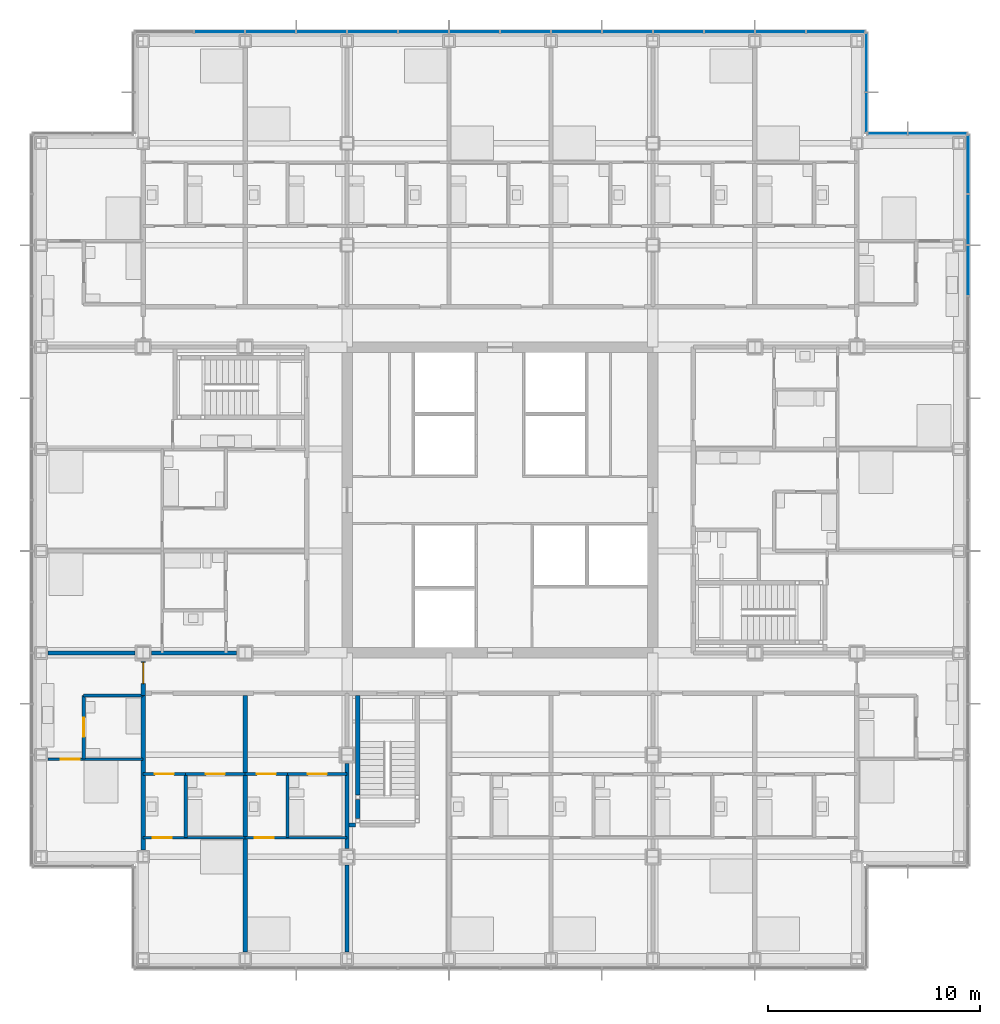
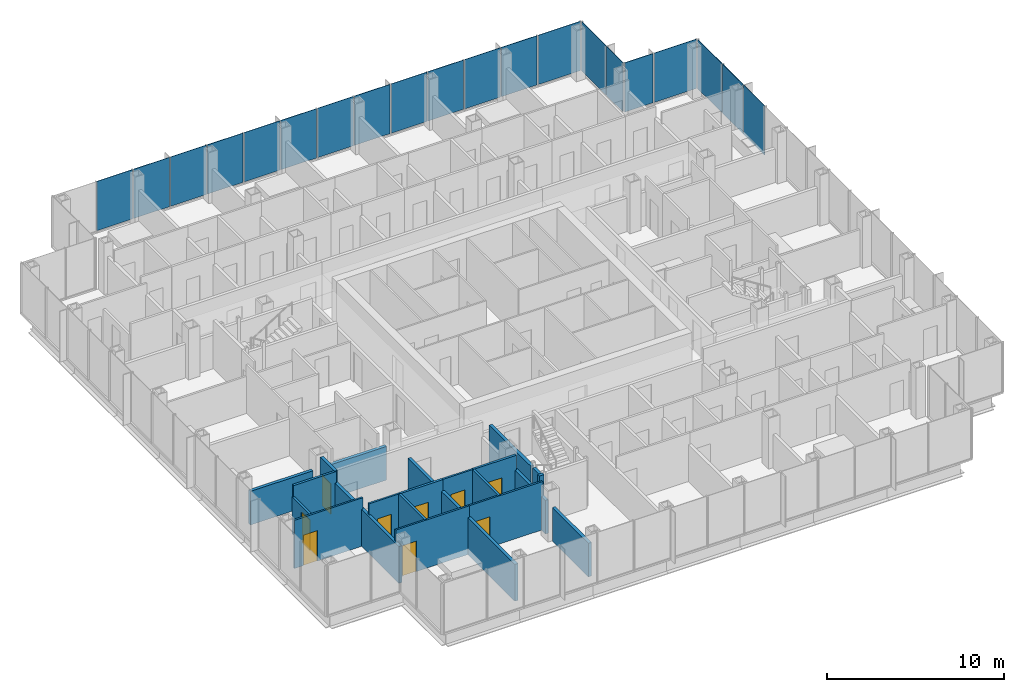
# One storey, part 13 of 22: 21 walls, 20 plates, 9 doors, 9 openings, 4 elements without a shape of their own.
"""IFC4 building model written with IfcOpenShell, lengths in metres."""

import ifcopenshell
import ifcopenshell.guid

model = None  # the IFC model being written
_history = None  # IfcOwnerHistory: only IFC2X3 demands one
_inside = {}  # id of a spatial element -> (the spatial element, [elements in it])
_under = {}  # id of a project, library or spatial element -> (it, [spatial elements below it])
_declared = {}  # id of a project -> (the project, [libraries it declares])
_typed = {}  # id of a type object -> (the type object, [elements of that type])
_made_of = {}  # id of a material, layer set ... -> (it, [elements and type objects made of it])


def new_model(schema):
    """Start an empty IFC model of exactly this schema.

    Asked for "IFC4X3", IfcOpenShell would pick the latest addendum, in which some entities
    have other attributes; the version numbers below select the first issue.
    IFC2X3 requires an IfcOwnerHistory on every rooted entity: one is made here for all.
    """
    global model, _history
    if schema == "IFC4X3":
        model = ifcopenshell.file(schema_version=(4, 3, 0, 0))
    else:
        model = ifcopenshell.file(schema=schema)
    _inside.clear()
    _under.clear()
    _declared.clear()
    _typed.clear()
    _made_of.clear()
    _history = None
    if model.schema == "IFC2X3":
        org = make("IfcOrganization", Name="unknown")
        user = make(
            "IfcPersonAndOrganization",
            ThePerson=make("IfcPerson", FamilyName="unknown"),
            TheOrganization=org,
        )
        app = make(
            "IfcApplication",
            ApplicationDeveloper=org,
            Version="unknown",
            ApplicationFullName="unknown",
            ApplicationIdentifier="unknown",
        )
        _history = make(
            "IfcOwnerHistory",
            OwningUser=user,
            OwningApplication=app,
            ChangeAction="ADDED",
            CreationDate=0,
        )
    return model


def make(cls, **values):
    """One entity of the class cls with the attributes given. An attribute that is None is left unset."""
    return model.create_entity(
        cls, **{name: value for name, value in values.items() if value is not None}
    )


def rooted(cls, **values):
    """An entity with a GlobalId (a new one), such as an element, a storey or a relation."""
    return make(cls, GlobalId=ifcopenshell.guid.new(), OwnerHistory=_history, **values)


def si_unit(unit_type, name, prefix=None):
    """IfcSIUnit, for example si_unit("LENGTHUNIT", "METRE", prefix="MILLI")."""
    return make("IfcSIUnit", UnitType=unit_type, Prefix=prefix, Name=name)


def assignment(units):
    """IfcUnitAssignment: the units of a project."""
    return None if units is None else make("IfcUnitAssignment", Units=units)


def point(xyz):
    """IfcCartesianPoint."""
    return None if xyz is None else make("IfcCartesianPoint", Coordinates=xyz)


def direction(xyz):
    """IfcDirection."""
    return None if xyz is None else make("IfcDirection", DirectionRatios=xyz)


def frame(location, z_axis=None, x_axis=None):
    """IfcAxis2Placement3D, a coordinate frame: its origin and axes. An axis left out is left unset."""
    return make(
        "IfcAxis2Placement3D",
        Location=point(location),
        Axis=direction(z_axis),
        RefDirection=direction(x_axis),
    )


def frame_2d(location, x_axis=None):
    """IfcAxis2Placement2D, a coordinate frame in the plane: its origin and x axis."""
    return make(
        "IfcAxis2Placement2D", Location=point(location), RefDirection=direction(x_axis)
    )


def origin():
    """The frame at (0, 0, 0) with its axes left unset."""
    return frame((0.0, 0.0, 0.0))


def origin_2d():
    """The frame at (0, 0) in the plane with its x axis left unset."""
    return frame_2d((0.0, 0.0))


def place(relative_to, where):
    """IfcLocalPlacement: puts the frame where relative to a parent placement (None: the world)."""
    return make(
        "IfcLocalPlacement", PlacementRelTo=relative_to, RelativePlacement=where
    )


def context(
    kind, dimensions, precision=None, world=None, true_north=None, identifier=None
):
    """IfcGeometricRepresentationContext, for example the 3D "Model" context."""
    return make(
        "IfcGeometricRepresentationContext",
        ContextIdentifier=identifier,
        ContextType=kind,
        CoordinateSpaceDimension=dimensions,
        Precision=precision,
        WorldCoordinateSystem=world,
        TrueNorth=true_north,
    )


def subcontext(parent, identifier, kind, view, scale=None):
    """IfcGeometricRepresentationSubContext, for example "Body" below "Model"."""
    return make(
        "IfcGeometricRepresentationSubContext",
        ContextIdentifier=identifier,
        ContextType=kind,
        ParentContext=parent,
        TargetScale=scale,
        TargetView=view,
    )


def project(units=None, contexts=None):
    """IfcProject with its units and contexts."""
    return rooted(
        "IfcProject",
        Name="project",
        RepresentationContexts=contexts,
        UnitsInContext=assignment(units),
    )


def spatial(cls, under=None, at=None, **own):
    """A site, building, storey or space (cls), placed at a placement, below another one or the project."""
    s = rooted(cls, ObjectPlacement=at, **own)
    if under is not None:
        _under.setdefault(under.id(), (under, []))[1].append(s)
    return s


def profile(cls, at=None, kind="AREA", **sizes):
    """A parametric profile (cls). Its sizes go by their IFC names, for example OverallWidth=200.0."""
    return make(cls, ProfileType=kind, Position=at, **sizes)


def rectangle(**sizes):
    """IfcRectangleProfileDef."""
    return profile("IfcRectangleProfileDef", **sizes)


def extrude(swept, where, along, depth):
    """IfcExtrudedAreaSolid: the profile swept, set in the frame where, extruded along a direction by depth."""
    return make(
        "IfcExtrudedAreaSolid",
        SweptArea=swept,
        Position=where,
        ExtrudedDirection=direction(along),
        Depth=depth,
    )


def shape(context_of_items, identifier, shape_type, items):
    """IfcShapeRepresentation: the items that make up one representation, for example the "Body"."""
    return make(
        "IfcShapeRepresentation",
        ContextOfItems=context_of_items,
        RepresentationIdentifier=identifier,
        RepresentationType=shape_type,
        Items=items,
    )


def material(Name=None, Category=None):
    """IfcMaterial."""
    return make("IfcMaterial", Name=Name, Category=Category)


def layer(
    of_material, thickness, ventilated=None, Name=None, Category=None, Priority=None
):
    """IfcMaterialLayer: one layer of a wall or slab, of a material (None: an air gap)."""
    return make(
        "IfcMaterialLayer",
        Material=of_material,
        LayerThickness=thickness,
        IsVentilated=ventilated,
        Name=Name,
        Category=Category,
        Priority=Priority,
    )


def layer_set(layers, Name=None):
    """IfcMaterialLayerSet."""
    return make("IfcMaterialLayerSet", MaterialLayers=layers, LayerSetName=Name)


def made_of(thing, what):
    """Note that an element or type object is made of a material, layer set ...; save() writes the relation."""
    if what is not None:
        _made_of.setdefault(what.id(), (what, []))[1].append(thing)
    return thing


def type_object(cls, material=None, **own):
    """A type object (cls), such as IfcWallType, which elements share."""
    return made_of(rooted(cls, **own), material)


def element(
    cls,
    number,
    at=None,
    inside=None,
    cuts=None,
    type_object=None,
    material=None,
    context=None,
    identifier="Body",
    shape_type=None,
    held_by="IfcProductDefinitionShape",
    body=None,
    shapes=None,
    **own,
):
    """One element of the class cls, such as IfcWall. Its Tag is "e" and its number.

    at: its placement. inside: the storey or other place that contains it. cuts: it is an
    opening in that element (IfcRelVoidsElement). A single representation is given by context,
    identifier, shape_type and body (its items); several are given by shapes. held_by: the class
    of the entity that holds the representations. save() writes the other relations.
    """
    e = rooted(cls, Tag="e%d" % number, ObjectPlacement=at, **own)
    if body is not None:
        shapes = [shape(context, identifier, shape_type, body)]
    if shapes is not None:
        e.Representation = make(held_by, Representations=shapes)
    if inside is not None:
        _inside.setdefault(inside.id(), (inside, []))[1].append(e)
    if cuts is not None:
        rooted(
            "IfcRelVoidsElement", RelatingBuildingElement=cuts, RelatedOpeningElement=e
        )
    if type_object is not None:
        _typed.setdefault(type_object.id(), (type_object, []))[1].append(e)
    return made_of(e, material)


def fill(opening, filler):
    """IfcRelFillsElement: the door or window that sits in an opening."""
    return rooted(
        "IfcRelFillsElement",
        RelatingOpeningElement=opening,
        RelatedBuildingElement=filler,
    )


def aggregate(whole, parts):
    """IfcRelAggregates: a whole, such as a stair, and the parts it consists of."""
    return rooted("IfcRelAggregates", RelatingObject=whole, RelatedObjects=parts)


def save(model, path):
    """Write the relations noted so far, then the file.

    IfcRelAggregates (storeys below a building ...), IfcRelContainedInSpatialStructure (elements
    in a storey), IfcRelDefinesByType, IfcRelAssociatesMaterial and IfcRelDeclares: one each for
    every whole, place, type object, material and project.
    """
    for whole, parts in _under.values():
        aggregate(whole, parts)
    for where, things in _inside.values():
        rooted(
            "IfcRelContainedInSpatialStructure",
            RelatedElements=things,
            RelatingStructure=where,
        )
    for kind, things in _typed.values():
        rooted("IfcRelDefinesByType", RelatedObjects=things, RelatingType=kind)
    for what, things in _made_of.values():
        rooted("IfcRelAssociatesMaterial", RelatedObjects=things, RelatingMaterial=what)
    for by, libraries in _declared.values():
        rooted("IfcRelDeclares", RelatingContext=by, RelatedDefinitions=libraries)
    model.write(path)


model = new_model("IFC4")

# Units and contexts
model_context = context("Model", 3, precision=1e-05, world=origin(), true_north=direction((0.0, 1.0)))
body_context = subcontext(model_context, "Body", "Model", "MODEL_VIEW")
ifc_project = project(units=[si_unit("LENGTHUNIT", "METRE"), si_unit("AREAUNIT", "SQUARE_METRE"), si_unit("VOLUMEUNIT", "CUBIC_METRE"), si_unit("PLANEANGLEUNIT", "RADIAN"), si_unit("MASSUNIT", "GRAM", prefix="KILO")], contexts=[model_context])

# Site, building, storey
site_placement = place(None, origin())
site = spatial("IfcSite", under=ifc_project, at=site_placement, CompositionType="ELEMENT")
building_placement = place(site_placement, origin())
building = spatial("IfcBuilding", under=site, at=building_placement, Name="Kvirike Care Tower", CompositionType="ELEMENT")
storey_placement = place(building_placement, frame((0.0, 0.0, 72.5)))
storey = spatial("IfcBuildingStorey", under=building, at=storey_placement, Name="L19", CompositionType="ELEMENT", Elevation=72.5)

# Curtain wall, plates
ifc_material_1 = material(Name="Anodised aluminium stick system", Category="aluminium")
curtain_wall_type = type_object("IfcCurtainWallType", Name="CW-A STICK CURTAIN WALL", PredefinedType="NOTDEFINED", material=ifc_material_1)
curtain_wall_1_placement = place(storey_placement, origin())
curtain_wall_1 = element("IfcCurtainWall", 1, at=curtain_wall_1_placement, inside=storey, type_object=curtain_wall_type, Name="Curtain wall L19 face 7", PredefinedType="NOTDEFINED")
ifc_material_2 = material(Name="Tinted double glazed unit", Category="glass")
ifc_layer_1 = layer(ifc_material_2, 0.031982421875)
ifc_layer_set_1 = layer_set([ifc_layer_1], Name="TINTED VISION PANEL 32")
plate_type = type_object("IfcPlateType", Name="TINTED VISION PANEL 32", PredefinedType="CURTAIN_PANEL", material=ifc_layer_set_1)
plate_1_placement = place(storey_placement, frame((43.64990234375, 46.800048828125, 0.10009765625), z_axis=(0.0, 0.0, 1.0), x_axis=(0.0, 1.0, 0.0)))
plate_1 = element("IfcPlate", 2, at=plate_1_placement, type_object=plate_type, Name="CW-A panel L19 face 7.12", PredefinedType="CURTAIN_PANEL", context=body_context, shape_type="SweptSolid", body=[
    extrude(rectangle(XDim=2.3349609375, YDim=0.031982421875, at=origin_2d()), origin(), (0.0, 0.0, 1.0), 3.39990234375),
])
plate_2_placement = place(storey_placement, frame((43.64990234375, 49.199951171875, 0.10009765625), z_axis=(0.0, 0.0, 1.0), x_axis=(0.0, 1.0, 0.0)))
plate_2 = element("IfcPlate", 3, at=plate_2_placement, type_object=plate_type, Name="CW-A panel L19 face 7.13", PredefinedType="CURTAIN_PANEL", context=body_context, shape_type="SweptSolid", body=[
    extrude(rectangle(XDim=2.3349609375, YDim=0.031982421875, at=origin_2d()), origin(), (0.0, 0.0, 1.0), 3.39990234375),
])
plate_3_placement = place(storey_placement, frame((43.64990234375, 51.808837890625, 0.10009765625), z_axis=(0.0, 0.0, 1.0), x_axis=(0.0, 1.0, 0.0)))
plate_3 = element("IfcPlate", 4, at=plate_3_placement, type_object=plate_type, Name="CW-A panel L19 face 7.14", PredefinedType="CURTAIN_PANEL", context=body_context, shape_type="SweptSolid", body=[
    extrude(rectangle(XDim=2.75244140625, YDim=0.031982421875, at=origin_2d()), origin(), (0.0, 0.0, 1.0), 3.39990234375),
])
aggregate(curtain_wall_1, [plate_1, plate_2, plate_3])

curtain_wall_2_placement = place(storey_placement, origin())
curtain_wall_2 = element("IfcCurtainWall", 5, at=curtain_wall_2_placement, inside=storey, type_object=curtain_wall_type, Name="Curtain wall L19 face 8", PredefinedType="NOTDEFINED")
plate_4_placement = place(storey_placement, frame((42.208740234375, 53.25, 0.10009765625), z_axis=(0.0, 0.0, 1.0), x_axis=(-1.0, 0.0, 0.0)))
plate_4 = element("IfcPlate", 6, at=plate_4_placement, type_object=plate_type, Name="CW-A panel L19 face 8.1", PredefinedType="CURTAIN_PANEL", context=body_context, shape_type="SweptSolid", body=[
    extrude(rectangle(XDim=2.75244140625, YDim=0.031982421875, at=origin_2d()), origin(), (0.0, 0.0, 1.0), 3.39990234375),
])
plate_5_placement = place(storey_placement, frame((39.84130859375, 53.25, 0.10009765625), z_axis=(0.0, 0.0, 1.0), x_axis=(-1.0, 0.0, 0.0)))
plate_5 = element("IfcPlate", 7, at=plate_5_placement, type_object=plate_type, Name="CW-A panel L19 face 8.2", PredefinedType="CURTAIN_PANEL", context=body_context, shape_type="SweptSolid", body=[
    extrude(rectangle(XDim=1.8525390625, YDim=0.031982421875, at=origin_2d()), origin(), (0.0, 0.0, 1.0), 3.39990234375),
])
aggregate(curtain_wall_2, [plate_4, plate_5])

curtain_wall_3_placement = place(storey_placement, origin())
curtain_wall_3 = element("IfcCurtainWall", 8, at=curtain_wall_3_placement, inside=storey, type_object=curtain_wall_type, Name="Curtain wall L19 face 9", PredefinedType="NOTDEFINED")
plate_6_placement = place(storey_placement, frame((38.85009765625, 54.2412109375, 0.10009765625), z_axis=(0.0, 0.0, 1.0), x_axis=(0.0, 1.0, 0.0)))
plate_6 = element("IfcPlate", 9, at=plate_6_placement, type_object=plate_type, Name="CW-A panel L19 face 9.1", PredefinedType="CURTAIN_PANEL", context=body_context, shape_type="SweptSolid", body=[
    extrude(rectangle(XDim=1.8525390625, YDim=0.031982421875, at=origin_2d()), origin(), (0.0, 0.0, 1.0), 3.39990234375),
])
plate_7_placement = place(storey_placement, frame((38.85009765625, 56.608642578125, 0.10009765625), z_axis=(0.0, 0.0, 1.0), x_axis=(0.0, 1.0, 0.0)))
plate_7 = element("IfcPlate", 10, at=plate_7_placement, type_object=plate_type, Name="CW-A panel L19 face 9.2", PredefinedType="CURTAIN_PANEL", context=body_context, shape_type="SweptSolid", body=[
    extrude(rectangle(XDim=2.75244140625, YDim=0.031982421875, at=origin_2d()), origin(), (0.0, 0.0, 1.0), 3.39990234375),
])
aggregate(curtain_wall_3, [plate_6, plate_7])

curtain_wall_4_placement = place(storey_placement, origin())
curtain_wall_4 = element("IfcCurtainWall", 11, at=curtain_wall_4_placement, inside=storey, type_object=curtain_wall_type, Name="Curtain wall L19 face 10", PredefinedType="NOTDEFINED")
plate_8_placement = place(storey_placement, frame((37.40869140625, 58.050048828125, 0.10009765625), z_axis=(0.0, 0.0, 1.0), x_axis=(-1.0, 0.0, 0.0)))
plate_8 = element("IfcPlate", 12, at=plate_8_placement, type_object=plate_type, Name="CW-A panel L19 face 10.1", PredefinedType="CURTAIN_PANEL", context=body_context, shape_type="SweptSolid", body=[
    extrude(rectangle(XDim=2.75244140625, YDim=0.031982421875, at=origin_2d()), origin(), (0.0, 0.0, 1.0), 3.39990234375),
])
plate_9_placement = place(storey_placement, frame((34.800048828125, 58.050048828125, 0.10009765625), z_axis=(0.0, 0.0, 1.0), x_axis=(-1.0, 0.0, 0.0)))
plate_9 = element("IfcPlate", 13, at=plate_9_placement, type_object=plate_type, Name="CW-A panel L19 face 10.2", PredefinedType="CURTAIN_PANEL", context=body_context, shape_type="SweptSolid", body=[
    extrude(rectangle(XDim=2.3349609375, YDim=0.031982421875, at=origin_2d()), origin(), (0.0, 0.0, 1.0), 3.39990234375),
])
plate_10_placement = place(storey_placement, frame((32.39990234375, 58.050048828125, 0.10009765625), z_axis=(0.0, 0.0, 1.0), x_axis=(-1.0, 0.0, 0.0)))
plate_10 = element("IfcPlate", 14, at=plate_10_placement, type_object=plate_type, Name="CW-A panel L19 face 10.3", PredefinedType="CURTAIN_PANEL", context=body_context, shape_type="SweptSolid", body=[
    extrude(rectangle(XDim=2.3349609375, YDim=0.031982421875, at=origin_2d()), origin(), (0.0, 0.0, 1.0), 3.39990234375),
])
plate_11_placement = place(storey_placement, frame((30.0, 58.050048828125, 0.10009765625), z_axis=(0.0, 0.0, 1.0), x_axis=(-1.0, 0.0, 0.0)))
plate_11 = element("IfcPlate", 15, at=plate_11_placement, type_object=plate_type, Name="CW-A panel L19 face 10.4", PredefinedType="CURTAIN_PANEL", context=body_context, shape_type="SweptSolid", body=[
    extrude(rectangle(XDim=2.3349609375, YDim=0.031982421875, at=origin_2d()), origin(), (0.0, 0.0, 1.0), 3.39990234375),
])
plate_12_placement = place(storey_placement, frame((27.60009765625, 58.050048828125, 0.10009765625), z_axis=(0.0, 0.0, 1.0), x_axis=(-1.0, 0.0, 0.0)))
plate_12 = element("IfcPlate", 16, at=plate_12_placement, type_object=plate_type, Name="CW-A panel L19 face 10.5", PredefinedType="CURTAIN_PANEL", context=body_context, shape_type="SweptSolid", body=[
    extrude(rectangle(XDim=2.3349609375, YDim=0.031982421875, at=origin_2d()), origin(), (0.0, 0.0, 1.0), 3.39990234375),
])
plate_13_placement = place(storey_placement, frame((25.199951171875, 58.050048828125, 0.10009765625), z_axis=(0.0, 0.0, 1.0), x_axis=(-1.0, 0.0, 0.0)))
plate_13 = element("IfcPlate", 17, at=plate_13_placement, type_object=plate_type, Name="CW-A panel L19 face 10.6", PredefinedType="CURTAIN_PANEL", context=body_context, shape_type="SweptSolid", body=[
    extrude(rectangle(XDim=2.3349609375, YDim=0.031982421875, at=origin_2d()), origin(), (0.0, 0.0, 1.0), 3.39990234375),
])
plate_14_placement = place(storey_placement, frame((22.800048828125, 58.050048828125, 0.10009765625), z_axis=(0.0, 0.0, 1.0), x_axis=(-1.0, 0.0, 0.0)))
plate_14 = element("IfcPlate", 18, at=plate_14_placement, type_object=plate_type, Name="CW-A panel L19 face 10.7", PredefinedType="CURTAIN_PANEL", context=body_context, shape_type="SweptSolid", body=[
    extrude(rectangle(XDim=2.3349609375, YDim=0.031982421875, at=origin_2d()), origin(), (0.0, 0.0, 1.0), 3.39990234375),
])
plate_15_placement = place(storey_placement, frame((20.39990234375, 58.050048828125, 0.10009765625), z_axis=(0.0, 0.0, 1.0), x_axis=(-1.0, 0.0, 0.0)))
plate_15 = element("IfcPlate", 19, at=plate_15_placement, type_object=plate_type, Name="CW-A panel L19 face 10.8", PredefinedType="CURTAIN_PANEL", context=body_context, shape_type="SweptSolid", body=[
    extrude(rectangle(XDim=2.3349609375, YDim=0.031982421875, at=origin_2d()), origin(), (0.0, 0.0, 1.0), 3.39990234375),
])
plate_16_placement = place(storey_placement, frame((18.0, 58.050048828125, 0.10009765625), z_axis=(0.0, 0.0, 1.0), x_axis=(-1.0, 0.0, 0.0)))
plate_16 = element("IfcPlate", 20, at=plate_16_placement, type_object=plate_type, Name="CW-A panel L19 face 10.9", PredefinedType="CURTAIN_PANEL", context=body_context, shape_type="SweptSolid", body=[
    extrude(rectangle(XDim=2.3349609375, YDim=0.031982421875, at=origin_2d()), origin(), (0.0, 0.0, 1.0), 3.39990234375),
])
plate_17_placement = place(storey_placement, frame((15.60009765625, 58.050048828125, 0.10009765625), z_axis=(0.0, 0.0, 1.0), x_axis=(-1.0, 0.0, 0.0)))
plate_17 = element("IfcPlate", 21, at=plate_17_placement, type_object=plate_type, Name="CW-A panel L19 face 10.10", PredefinedType="CURTAIN_PANEL", context=body_context, shape_type="SweptSolid", body=[
    extrude(rectangle(XDim=2.3349609375, YDim=0.031982421875, at=origin_2d()), origin(), (0.0, 0.0, 1.0), 3.39990234375),
])
plate_18_placement = place(storey_placement, frame((13.199951171875, 58.050048828125, 0.10009765625), z_axis=(0.0, 0.0, 1.0), x_axis=(-1.0, 0.0, 0.0)))
plate_18 = element("IfcPlate", 22, at=plate_18_placement, type_object=plate_type, Name="CW-A panel L19 face 10.11", PredefinedType="CURTAIN_PANEL", context=body_context, shape_type="SweptSolid", body=[
    extrude(rectangle(XDim=2.3349609375, YDim=0.031982421875, at=origin_2d()), origin(), (0.0, 0.0, 1.0), 3.39990234375),
])
plate_19_placement = place(storey_placement, frame((10.800048828125, 58.050048828125, 0.10009765625), z_axis=(0.0, 0.0, 1.0), x_axis=(-1.0, 0.0, 0.0)))
plate_19 = element("IfcPlate", 23, at=plate_19_placement, type_object=plate_type, Name="CW-A panel L19 face 10.12", PredefinedType="CURTAIN_PANEL", context=body_context, shape_type="SweptSolid", body=[
    extrude(rectangle(XDim=2.3349609375, YDim=0.031982421875, at=origin_2d()), origin(), (0.0, 0.0, 1.0), 3.39990234375),
])
plate_20_placement = place(storey_placement, frame((8.39990234375, 58.050048828125, 0.10009765625), z_axis=(0.0, 0.0, 1.0), x_axis=(-1.0, 0.0, 0.0)))
plate_20 = element("IfcPlate", 24, at=plate_20_placement, type_object=plate_type, Name="CW-A panel L19 face 10.13", PredefinedType="CURTAIN_PANEL", context=body_context, shape_type="SweptSolid", body=[
    extrude(rectangle(XDim=2.3349609375, YDim=0.031982421875, at=origin_2d()), origin(), (0.0, 0.0, 1.0), 3.39990234375),
])
aggregate(curtain_wall_4, [plate_8, plate_9, plate_10, plate_11, plate_12, plate_13, plate_14, plate_15, plate_16, plate_17, plate_18, plate_19, plate_20])

# Wall, opening, door
ifc_material_3 = material(Name="Moisture-resistant board partition", Category="gypsum")
ifc_layer_2 = layer(ifc_material_3, 0.14990234375)
ifc_layer_set_2 = layer_set([ifc_layer_2], Name="BATHROOM WALL 150")
wall_type_1 = type_object("IfcWallType", Name="BATHROOM WALL 150", PredefinedType="PARTITIONING", material=ifc_layer_set_2)
wall_1_placement = place(storey_placement, frame((2.0, 23.800048828125, 0.0), z_axis=(0.0, 0.0, 1.0), x_axis=(0.0, 1.0, 0.0)))
wall_1 = element("IfcWall", 25, at=wall_1_placement, inside=storey, type_object=wall_type_1, Name="Bathroom Wall 150 L19", PredefinedType="PARTITIONING", context=body_context, shape_type="SweptSolid", body=[
    extrude(rectangle(XDim=3.0, YDim=0.14990234375, at=frame_2d((1.5, 0.0))), origin(), (0.0, 0.0, 1.0), 2.550048828125),
])
opening_1_placement = place(wall_1_placement, frame((1.050048828125, 0.0, 0.0)))
opening_1 = element("IfcOpeningElement", 26, at=opening_1_placement, cuts=wall_1, Name="Opening 19-001", PredefinedType="OPENING", context=body_context, shape_type="SweptSolid", body=[
    extrude(rectangle(XDim=0.89990234375, YDim=2.10009765625, at=frame_2d((0.449951171875, 1.050048828125))), frame((0.0, 0.08544921875, 0.0), z_axis=(0.0, -1.0, 0.0), x_axis=(1.0, 0.0, 0.0)), (0.0, 0.0, 1.0), 0.1708984375),
])
ifc_material_4 = material(Name="Timber door set", Category="wood")
door_type_1 = type_object("IfcDoorType", Name="BATHROOM DOOR 900", OperationType="SINGLE_SWING_RIGHT", PredefinedType="DOOR", material=ifc_material_4)
door_1_placement = place(opening_1_placement, frame((0.89990234375, 0.0, 0.0), z_axis=(0.0, 0.0, 1.0), x_axis=(-1.0, 0.0, 0.0)))
door_1 = element("IfcDoor", 27, at=door_1_placement, inside=storey, type_object=door_type_1, Name="Bathroom door", OperationType="SINGLE_SWING_RIGHT", OverallHeight=2.10009765625, OverallWidth=0.89990234375, PredefinedType="DOOR", context=body_context, shape_type="SweptSolid", body=[
    extrude(rectangle(XDim=0.89990234375, YDim=2.10009765625, at=frame_2d((0.449951171875, 1.050048828125))), frame((0.0, 0.02197265625, 0.0), z_axis=(0.0, -1.0, 0.0), x_axis=(1.0, 0.0, 0.0)), (0.0, 0.0, 1.0), 0.0439453125),
])
fill(opening_1, door_1)

# Walls
wall_2_placement = place(storey_placement, frame((2.0, 26.800048828125, 0.0), z_axis=(0.0, 0.0, 1.0), x_axis=(1.0, 0.0, 0.0)))
element("IfcWall", 28, at=wall_2_placement, inside=storey, type_object=wall_type_1, Name="Bathroom Wall 150 L19", PredefinedType="PARTITIONING", context=body_context, shape_type="SweptSolid", body=[
    extrude(rectangle(XDim=2.800048828125, YDim=0.14990234375, at=frame_2d((1.39990234375, 0.0))), origin(), (0.0, 0.0, 1.0), 3.330078125),
])
wall_3_placement = place(storey_placement, frame((6.800048828125, 20.10009765625, 0.0), z_axis=(0.0, 0.0, 1.0), x_axis=(0.0, 1.0, 0.0)))
element("IfcWall", 29, at=wall_3_placement, inside=storey, type_object=wall_type_1, Name="Bathroom Wall 150 L19", PredefinedType="PARTITIONING", context=body_context, shape_type="SweptSolid", body=[
    extrude(rectangle(XDim=3.0, YDim=0.14990234375, at=frame_2d((1.5, 0.0))), origin(), (0.0, 0.0, 1.0), 3.330078125),
])

# Wall, opening, door
wall_4_placement = place(storey_placement, frame((6.800048828125, 23.10009765625, 0.0), z_axis=(0.0, 0.0, 1.0), x_axis=(1.0, 0.0, 0.0)))
wall_4 = element("IfcWall", 30, at=wall_4_placement, inside=storey, type_object=wall_type_1, Name="Bathroom Wall 150 L19", PredefinedType="PARTITIONING", context=body_context, shape_type="SweptSolid", body=[
    extrude(rectangle(XDim=2.800048828125, YDim=0.14990234375, at=frame_2d((1.39990234375, 0.0))), origin(), (0.0, 0.0, 1.0), 3.330078125),
])
opening_2_placement = place(wall_4_placement, frame((0.949951171875, 0.0, 0.0)))
opening_2 = element("IfcOpeningElement", 31, at=opening_2_placement, cuts=wall_4, Name="Opening 19-003", PredefinedType="OPENING", context=body_context, shape_type="SweptSolid", body=[
    extrude(rectangle(XDim=0.89990234375, YDim=2.10009765625, at=frame_2d((0.449951171875, 1.050048828125))), frame((0.0, 0.08544921875, 0.0), z_axis=(0.0, -1.0, 0.0), x_axis=(1.0, 0.0, 0.0)), (0.0, 0.0, 1.0), 0.1708984375),
])
door_2_placement = place(opening_2_placement, frame((0.89990234375, 0.0, 0.0), z_axis=(0.0, 0.0, 1.0), x_axis=(-1.0, 0.0, 0.0)))
door_2 = element("IfcDoor", 32, at=door_2_placement, inside=storey, type_object=door_type_1, Name="Bathroom door", OperationType="SINGLE_SWING_RIGHT", OverallHeight=2.10009765625, OverallWidth=0.89990234375, PredefinedType="DOOR", context=body_context, shape_type="SweptSolid", body=[
    extrude(rectangle(XDim=0.89990234375, YDim=2.10009765625, at=frame_2d((0.449951171875, 1.050048828125))), frame((0.0, 0.02197265625, 0.0), z_axis=(0.0, -1.0, 0.0), x_axis=(1.0, 0.0, 0.0)), (0.0, 0.0, 1.0), 0.0439453125),
])
fill(opening_2, door_2)

# Wall
wall_5_placement = place(storey_placement, frame((11.60009765625, 20.10009765625, 0.0), z_axis=(0.0, 0.0, 1.0), x_axis=(0.0, 1.0, 0.0)))
element("IfcWall", 33, at=wall_5_placement, inside=storey, type_object=wall_type_1, Name="Bathroom Wall 150 L19", PredefinedType="PARTITIONING", context=body_context, shape_type="SweptSolid", body=[
    extrude(rectangle(XDim=3.0, YDim=0.14990234375, at=frame_2d((1.5, 0.0))), origin(), (0.0, 0.0, 1.0), 3.330078125),
])

# Wall, opening, door
wall_6_placement = place(storey_placement, frame((11.60009765625, 23.10009765625, 0.0), z_axis=(0.0, 0.0, 1.0), x_axis=(1.0, 0.0, 0.0)))
wall_6 = element("IfcWall", 34, at=wall_6_placement, inside=storey, type_object=wall_type_1, Name="Bathroom Wall 150 L19", PredefinedType="PARTITIONING", context=body_context, shape_type="SweptSolid", body=[
    extrude(rectangle(XDim=2.7998046875, YDim=0.14990234375, at=frame_2d((1.39990234375, 0.0))), origin(), (0.0, 0.0, 1.0), 3.330078125),
])
opening_3_placement = place(wall_6_placement, frame((0.949951171875, 0.0, 0.0)))
opening_3 = element("IfcOpeningElement", 35, at=opening_3_placement, cuts=wall_6, Name="Opening 19-006", PredefinedType="OPENING", context=body_context, shape_type="SweptSolid", body=[
    extrude(rectangle(XDim=0.89990234375, YDim=2.10009765625, at=frame_2d((0.449951171875, 1.050048828125))), frame((0.0, 0.08544921875, 0.0), z_axis=(0.0, -1.0, 0.0), x_axis=(1.0, 0.0, 0.0)), (0.0, 0.0, 1.0), 0.1708984375),
])
door_3_placement = place(opening_3_placement, frame((0.89990234375, 0.0, 0.0), z_axis=(0.0, 0.0, 1.0), x_axis=(-1.0, 0.0, 0.0)))
door_3 = element("IfcDoor", 36, at=door_3_placement, inside=storey, type_object=door_type_1, Name="Bathroom door", OperationType="SINGLE_SWING_LEFT", OverallHeight=2.10009765625, OverallWidth=0.89990234375, PredefinedType="DOOR", context=body_context, shape_type="SweptSolid", body=[
    extrude(rectangle(XDim=0.89990234375, YDim=2.10009765625, at=frame_2d((0.449951171875, 1.050048828125))), frame((0.0, 0.02197265625, 0.0), z_axis=(0.0, -1.0, 0.0), x_axis=(1.0, 0.0, 0.0)), (0.0, 0.0, 1.0), 0.0439453125),
])
fill(opening_3, door_3)

ifc_material_5 = material(Name="Plasterboard corridor wall", Category="gypsum")
ifc_layer_3 = layer(ifc_material_5, 0.199951171875)
ifc_layer_set_3 = layer_set([ifc_layer_3], Name="CORRIDOR WALL 200")
wall_type_2 = type_object("IfcWallType", Name="CORRIDOR WALL 200", PredefinedType="PARTITIONING", material=ifc_layer_set_3)
wall_7_placement = place(storey_placement, frame((4.800048828125, 26.800048828125, 0.0), z_axis=(0.0, 0.0, 1.0), x_axis=(0.0, 1.0, 0.0)))
wall_7 = element("IfcWall", 37, at=wall_7_placement, inside=storey, type_object=wall_type_2, Name="Corridor Wall 200 L19", PredefinedType="PARTITIONING", context=body_context, shape_type="SweptSolid", body=[
    extrude(rectangle(XDim=1.60498046875, YDim=0.199951171875, at=frame_2d((0.802490234375, 0.0))), origin(), (0.0, 0.0, 1.0), 3.330078125),
])
opening_4_placement = place(wall_7_placement, frame((0.550048828125, 0.0, 0.0)))
opening_4 = element("IfcOpeningElement", 38, at=opening_4_placement, cuts=wall_7, Name="Opening 19-011", PredefinedType="OPENING", context=body_context, shape_type="SweptSolid", body=[
    extrude(rectangle(XDim=1.0, YDim=2.10009765625, at=frame_2d((0.5, 1.050048828125))), frame((0.0, 0.110595703125, 0.0), z_axis=(0.0, -1.0, 0.0), x_axis=(1.0, 0.0, 0.0)), (0.0, 0.0, 1.0), 0.220947265625),
])
ifc_material_6 = material(Name="Timber door set", Category="wood")
door_type_2 = type_object("IfcDoorType", Name="FLAT ENTRANCE DOOR 1000", OperationType="SINGLE_SWING_LEFT", PredefinedType="DOOR", material=ifc_material_6)
door_4_placement = place(opening_4_placement, origin())
door_4 = element("IfcDoor", 39, at=door_4_placement, inside=storey, type_object=door_type_2, Name="Studio apartment entrance", OperationType="SINGLE_SWING_LEFT", OverallHeight=2.10009765625, OverallWidth=1.0, PredefinedType="DOOR", context=body_context, shape_type="SweptSolid", body=[
    extrude(rectangle(XDim=1.0, YDim=2.10009765625, at=frame_2d((0.5, 1.050048828125))), frame((0.0, 0.02685546875, 0.0), z_axis=(0.0, -1.0, 0.0), x_axis=(1.0, 0.0, 0.0)), (0.0, 0.0, 1.0), 0.053955078125),
])
fill(opening_4, door_4)

ifc_material_7 = material(Name="Plasterboard partition", Category="gypsum")
ifc_layer_4 = layer(ifc_material_7, 0.1201171875)
ifc_layer_set_4 = layer_set([ifc_layer_4], Name="PARTITION 120")
wall_type_3 = type_object("IfcWallType", Name="PARTITION 120", PredefinedType="PARTITIONING", material=ifc_layer_set_4)
wall_8_placement = place(storey_placement, frame((0.320068359375, 23.800048828125, 0.0), z_axis=(0.0, 0.0, 1.0), x_axis=(1.0, 0.0, 0.0)))
wall_8 = element("IfcWall", 40, at=wall_8_placement, inside=storey, type_object=wall_type_3, Name="Partition 120 L19", PredefinedType="PARTITIONING", context=body_context, shape_type="SweptSolid", body=[
    extrude(rectangle(XDim=4.47998046875, YDim=0.1201171875, at=frame_2d((2.239990234375, 0.0))), origin(), (0.0, 0.0, 1.0), 3.330078125),
])
opening_5_placement = place(wall_8_placement, frame((0.60498046875, 0.0, 0.0)))
opening_5 = element("IfcOpeningElement", 41, at=opening_5_placement, cuts=wall_8, Name="Opening 19-002", PredefinedType="OPENING", context=body_context, shape_type="SweptSolid", body=[
    extrude(rectangle(XDim=0.89990234375, YDim=2.10009765625, at=frame_2d((0.449951171875, 1.050048828125))), frame((0.0, 0.070556640625, 0.0), z_axis=(0.0, -1.0, 0.0), x_axis=(1.0, 0.0, 0.0)), (0.0, 0.0, 1.0), 0.14111328125),
])
ifc_material_8 = material(Name="Timber door set", Category="wood")
door_type_3 = type_object("IfcDoorType", Name="INTERNAL DOOR 900", OperationType="SINGLE_SWING_LEFT", PredefinedType="DOOR", material=ifc_material_8)
door_5_placement = place(opening_5_placement, origin())
door_5 = element("IfcDoor", 42, at=door_5_placement, inside=storey, type_object=door_type_3, Name="Studio apartment living room door", OperationType="SINGLE_SWING_LEFT", OverallHeight=2.10009765625, OverallWidth=0.89990234375, PredefinedType="DOOR", context=body_context, shape_type="SweptSolid", body=[
    extrude(rectangle(XDim=0.89990234375, YDim=2.10009765625, at=frame_2d((0.449951171875, 1.050048828125))), frame((0.0, 0.02197265625, 0.0), z_axis=(0.0, -1.0, 0.0), x_axis=(1.0, 0.0, 0.0)), (0.0, 0.0, 1.0), 0.0439453125),
])
fill(opening_5, door_5)

wall_9_placement = place(storey_placement, frame((4.800048828125, 23.10009765625, 0.0), z_axis=(0.0, 0.0, 1.0), x_axis=(1.0, 0.0, 0.0)))
wall_9 = element("IfcWall", 43, at=wall_9_placement, inside=storey, type_object=wall_type_3, Name="Partition 120 L19", PredefinedType="PARTITIONING", context=body_context, shape_type="SweptSolid", body=[
    extrude(rectangle(XDim=2.0, YDim=0.1201171875, at=frame_2d((1.0, 0.0))), origin(), (0.0, 0.0, 1.0), 3.330078125),
])
opening_6_placement = place(wall_9_placement, frame((0.550048828125, 0.0, 0.0)))
opening_6 = element("IfcOpeningElement", 44, at=opening_6_placement, cuts=wall_9, Name="Opening 19-004", PredefinedType="OPENING", context=body_context, shape_type="SweptSolid", body=[
    extrude(rectangle(XDim=0.89990234375, YDim=2.10009765625, at=frame_2d((0.449951171875, 1.050048828125))), frame((0.0, 0.070556640625, 0.0), z_axis=(0.0, -1.0, 0.0), x_axis=(1.0, 0.0, 0.0)), (0.0, 0.0, 1.0), 0.14111328125),
])
door_6_placement = place(opening_6_placement, frame((0.89990234375, 0.0, 0.0), z_axis=(0.0, 0.0, 1.0), x_axis=(-1.0, 0.0, 0.0)))
door_6 = element("IfcDoor", 45, at=door_6_placement, inside=storey, type_object=door_type_3, Name="Kitchen door", OperationType="SINGLE_SWING_RIGHT", OverallHeight=2.10009765625, OverallWidth=0.89990234375, PredefinedType="DOOR", context=body_context, shape_type="SweptSolid", body=[
    extrude(rectangle(XDim=0.89990234375, YDim=2.10009765625, at=frame_2d((0.449951171875, 1.050048828125))), frame((0.0, 0.02197265625, 0.0), z_axis=(0.0, -1.0, 0.0), x_axis=(1.0, 0.0, 0.0)), (0.0, 0.0, 1.0), 0.0439453125),
])
fill(opening_6, door_6)

wall_10_placement = place(storey_placement, frame((4.800048828125, 20.10009765625, 0.0), z_axis=(0.0, 0.0, 1.0), x_axis=(1.0, 0.0, 0.0)))
wall_10 = element("IfcWall", 46, at=wall_10_placement, inside=storey, type_object=wall_type_3, Name="Partition 120 L19", PredefinedType="PARTITIONING", context=body_context, shape_type="SweptSolid", body=[
    extrude(rectangle(XDim=4.800048828125, YDim=0.1201171875, at=frame_2d((2.39990234375, 0.0))), origin(), (0.0, 0.0, 1.0), 3.330078125),
])
opening_7_placement = place(wall_10_placement, frame((0.449951171875, 0.0, 0.0)))
opening_7 = element("IfcOpeningElement", 47, at=opening_7_placement, cuts=wall_10, Name="Opening 19-005", PredefinedType="OPENING", context=body_context, shape_type="SweptSolid", body=[
    extrude(rectangle(XDim=0.89990234375, YDim=2.10009765625, at=frame_2d((0.449951171875, 1.050048828125))), frame((0.0, 0.070556640625, 0.0), z_axis=(0.0, -1.0, 0.0), x_axis=(1.0, 0.0, 0.0)), (0.0, 0.0, 1.0), 0.14111328125),
])
door_7_placement = place(opening_7_placement, origin())
door_7 = element("IfcDoor", 48, at=door_7_placement, inside=storey, type_object=door_type_3, Name="Studio apartment living room door", OperationType="SINGLE_SWING_RIGHT", OverallHeight=2.10009765625, OverallWidth=0.89990234375, PredefinedType="DOOR", context=body_context, shape_type="SweptSolid", body=[
    extrude(rectangle(XDim=0.89990234375, YDim=2.10009765625, at=frame_2d((0.449951171875, 1.050048828125))), frame((0.0, 0.02197265625, 0.0), z_axis=(0.0, -1.0, 0.0), x_axis=(1.0, 0.0, 0.0)), (0.0, 0.0, 1.0), 0.0439453125),
])
fill(opening_7, door_7)

wall_11_placement = place(storey_placement, frame((9.60009765625, 23.10009765625, 0.0), z_axis=(0.0, 0.0, 1.0), x_axis=(1.0, 0.0, 0.0)))
wall_11 = element("IfcWall", 49, at=wall_11_placement, inside=storey, type_object=wall_type_3, Name="Partition 120 L19", PredefinedType="PARTITIONING", context=body_context, shape_type="SweptSolid", body=[
    extrude(rectangle(XDim=2.0, YDim=0.1201171875, at=frame_2d((1.0, 0.0))), origin(), (0.0, 0.0, 1.0), 3.330078125),
])
opening_8_placement = place(wall_11_placement, frame((0.550048828125, 0.0, 0.0)))
opening_8 = element("IfcOpeningElement", 50, at=opening_8_placement, cuts=wall_11, Name="Opening 19-007", PredefinedType="OPENING", context=body_context, shape_type="SweptSolid", body=[
    extrude(rectangle(XDim=0.89990234375, YDim=2.10009765625, at=frame_2d((0.449951171875, 1.050048828125))), frame((0.0, 0.070556640625, 0.0), z_axis=(0.0, -1.0, 0.0), x_axis=(1.0, 0.0, 0.0)), (0.0, 0.0, 1.0), 0.14111328125),
])
door_8_placement = place(opening_8_placement, frame((0.89990234375, 0.0, 0.0), z_axis=(0.0, 0.0, 1.0), x_axis=(-1.0, 0.0, 0.0)))
door_8 = element("IfcDoor", 51, at=door_8_placement, inside=storey, type_object=door_type_3, Name="Kitchen door", OperationType="SINGLE_SWING_RIGHT", OverallHeight=2.10009765625, OverallWidth=0.89990234375, PredefinedType="DOOR", context=body_context, shape_type="SweptSolid", body=[
    extrude(rectangle(XDim=0.89990234375, YDim=2.10009765625, at=frame_2d((0.449951171875, 1.050048828125))), frame((0.0, 0.02197265625, 0.0), z_axis=(0.0, -1.0, 0.0), x_axis=(1.0, 0.0, 0.0)), (0.0, 0.0, 1.0), 0.0439453125),
])
fill(opening_8, door_8)

wall_12_placement = place(storey_placement, frame((9.60009765625, 20.10009765625, 0.0), z_axis=(0.0, 0.0, 1.0), x_axis=(1.0, 0.0, 0.0)))
wall_12 = element("IfcWall", 52, at=wall_12_placement, inside=storey, type_object=wall_type_3, Name="Partition 120 L19", PredefinedType="PARTITIONING", context=body_context, shape_type="SweptSolid", body=[
    extrude(rectangle(XDim=4.7998046875, YDim=0.1201171875, at=frame_2d((2.39990234375, 0.0))), origin(), (0.0, 0.0, 1.0), 3.330078125),
])
opening_9_placement = place(wall_12_placement, frame((0.449951171875, 0.0, 0.0)))
opening_9 = element("IfcOpeningElement", 53, at=opening_9_placement, cuts=wall_12, Name="Opening 19-008", PredefinedType="OPENING", context=body_context, shape_type="SweptSolid", body=[
    extrude(rectangle(XDim=0.89990234375, YDim=2.10009765625, at=frame_2d((0.449951171875, 1.050048828125))), frame((0.0, 0.070556640625, 0.0), z_axis=(0.0, -1.0, 0.0), x_axis=(1.0, 0.0, 0.0)), (0.0, 0.0, 1.0), 0.14111328125),
])
door_9_placement = place(opening_9_placement, origin())
door_9 = element("IfcDoor", 54, at=door_9_placement, inside=storey, type_object=door_type_3, Name="Studio apartment living room door", OperationType="SINGLE_SWING_RIGHT", OverallHeight=2.10009765625, OverallWidth=0.89990234375, PredefinedType="DOOR", context=body_context, shape_type="SweptSolid", body=[
    extrude(rectangle(XDim=0.89990234375, YDim=2.10009765625, at=frame_2d((0.449951171875, 1.050048828125))), frame((0.0, 0.02197265625, 0.0), z_axis=(0.0, -1.0, 0.0), x_axis=(1.0, 0.0, 0.0)), (0.0, 0.0, 1.0), 0.0439453125),
])
fill(opening_9, door_9)

# Walls
ifc_material_9 = material(Name="Plasterboard party wall", Category="gypsum")
ifc_layer_5 = layer(ifc_material_9, 0.199951171875)
ifc_layer_set_5 = layer_set([ifc_layer_5], Name="PARTY WALL 200")
wall_type_4 = type_object("IfcWallType", Name="PARTY WALL 200", PredefinedType="PARTITIONING", material=ifc_layer_set_5)
wall_13_placement = place(storey_placement, frame((4.800048828125, 19.52001953125, 0.0), z_axis=(0.0, 0.0, 1.0), x_axis=(0.0, 1.0, 0.0)))
element("IfcWall", 55, at=wall_13_placement, inside=storey, type_object=wall_type_4, Name="Party Wall 200 L19", PredefinedType="PARTITIONING", context=body_context, shape_type="SweptSolid", body=[
    extrude(rectangle(XDim=7.280029296875, YDim=0.199951171875, at=frame_2d((3.64013671875, 0.0))), origin(), (0.0, 0.0, 1.0), 2.550048828125),
])
wall_14_placement = place(storey_placement, frame((9.60009765625, 14.719970703125, 0.0), z_axis=(0.0, 0.0, 1.0), x_axis=(0.0, 1.0, 0.0)))
element("IfcWall", 56, at=wall_14_placement, inside=storey, type_object=wall_type_4, Name="Party Wall 200 L19", PredefinedType="PARTITIONING", context=body_context, shape_type="SweptSolid", body=[
    extrude(rectangle(XDim=12.080078125, YDim=0.199951171875, at=frame_2d((6.0400390625, 0.0))), origin(), (0.0, 0.0, 1.0), 2.550048828125),
])
wall_15_placement = place(storey_placement, frame((9.205078125, 28.800048828125, 0.0), z_axis=(0.0, 0.0, 1.0), x_axis=(-1.0, 0.0, 0.0)))
element("IfcWall", 57, at=wall_15_placement, inside=storey, type_object=wall_type_4, Name="Party Wall 200 L19", PredefinedType="PARTITIONING", context=body_context, shape_type="SweptSolid", body=[
    extrude(rectangle(XDim=4.010009765625, YDim=0.199951171875, at=frame_2d((2.0048828125, 0.0))), origin(), (0.0, 0.0, 1.0), 2.320068359375),
])
for number, where, z_axis, x_axis, name in (
    (58, (4.405029296875, 28.800048828125, 0.0), (0.0, 0.0, 1.0), (-1.0, 0.0, 0.0), "Party Wall 200 L19"),
    (59, (14.39990234375, 14.719970703125, 0.0), (0.0, 0.0, 1.0), (0.0, 1.0, 0.0), "Party Wall 200 L19"),
):
    element("IfcWall", number, at=place(storey_placement, frame(where, z_axis=z_axis, x_axis=x_axis)), inside=storey, type_object=wall_type_4, Name=name, PredefinedType="PARTITIONING", context=body_context, shape_type="SweptSolid", body=[
        extrude(rectangle(XDim=4.0849609375, YDim=0.199951171875, at=frame_2d((2.04248046875, 0.0))), origin(), (0.0, 0.0, 1.0), 2.320068359375),
    ])
wall_16_placement = place(storey_placement, frame((14.39990234375, 19.594970703125, 0.0), z_axis=(0.0, 0.0, 1.0), x_axis=(0.0, 1.0, 0.0)))
element("IfcWall", 60, at=wall_16_placement, inside=storey, type_object=wall_type_4, Name="Party Wall 200 L19", PredefinedType="PARTITIONING", context=body_context, shape_type="SweptSolid", body=[
    extrude(rectangle(XDim=4.010009765625, YDim=0.199951171875, at=frame_2d((2.0048828125, 0.0))), origin(), (0.0, 0.0, 1.0), 2.320068359375),
])
ifc_material_10 = material(Name="Concrete C40/50", Category="concrete")
ifc_layer_6 = layer(ifc_material_10, 0.199951171875)
ifc_layer_set_6 = layer_set([ifc_layer_6], Name="STAIR WALL 200")
wall_type_5 = type_object("IfcWallType", Name="STAIR WALL 200", PredefinedType="SOLIDWALL", material=ifc_layer_set_6)
wall_17_placement = place(storey_placement, frame((14.89990234375, 21.0, 0.0), z_axis=(0.0, 0.0, 1.0), x_axis=(0.0, 1.0, 0.0)))
element("IfcWall", 61, at=wall_17_placement, inside=storey, type_object=wall_type_5, Name="Stair Wall 200 L19", PredefinedType="SOLIDWALL", context=body_context, shape_type="SweptSolid", body=[
    extrude(rectangle(XDim=0.89990234375, YDim=0.199951171875, at=frame_2d((0.449951171875, 0.0))), origin(), (0.0, 0.0, 1.0), 2.989990234375),
])
wall_18_placement = place(storey_placement, frame((14.89990234375, 22.10009765625, 0.0), z_axis=(0.0, 0.0, 1.0), x_axis=(0.0, 1.0, 0.0)))
element("IfcWall", 62, at=wall_18_placement, inside=storey, type_object=wall_type_5, Name="Stair Wall 200 L19", PredefinedType="SOLIDWALL", context=body_context, shape_type="SweptSolid", body=[
    extrude(rectangle(XDim=4.699951171875, YDim=0.199951171875, at=frame_2d((2.35009765625, 0.0))), origin(), (0.0, 0.0, 1.0), 2.989990234375),
])
wall_19_placement = place(storey_placement, frame((14.5, 20.699951171875, 0.0), z_axis=(0.0, 0.0, 1.0), x_axis=(1.0, 0.0, 0.0)))
element("IfcWall", 63, at=wall_19_placement, inside=storey, type_object=wall_type_5, Name="Stair Wall 200 L19", PredefinedType="SOLIDWALL", context=body_context, shape_type="SweptSolid", body=[
    extrude(rectangle(XDim=0.300048828125, YDim=0.199951171875, at=frame_2d((0.14990234375, 0.0))), origin(), (0.0, 0.0, 1.0), 3.330078125),
])

save(model, "model.ifc")
